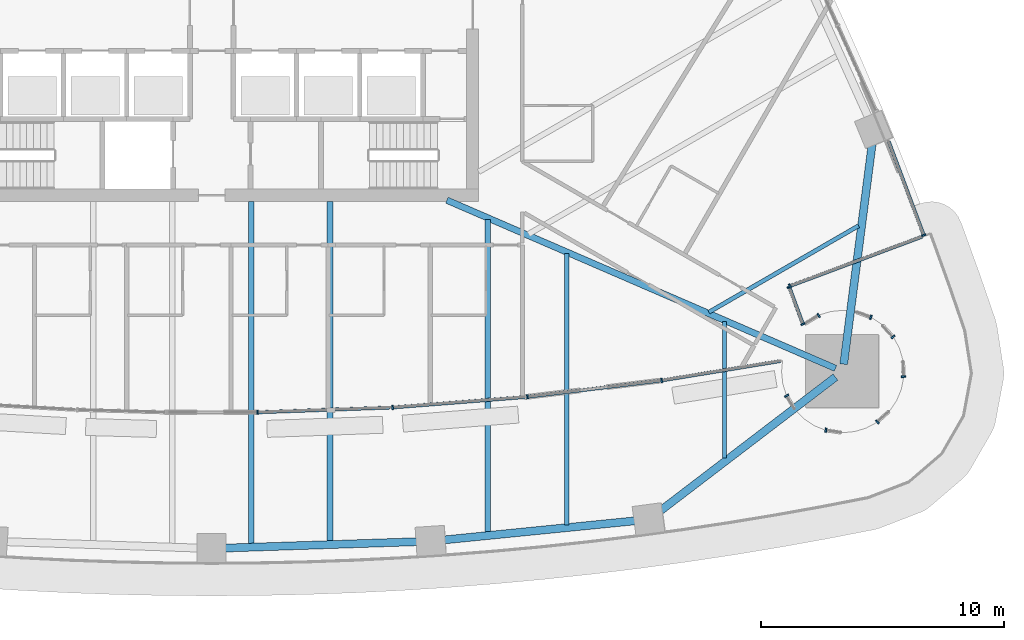
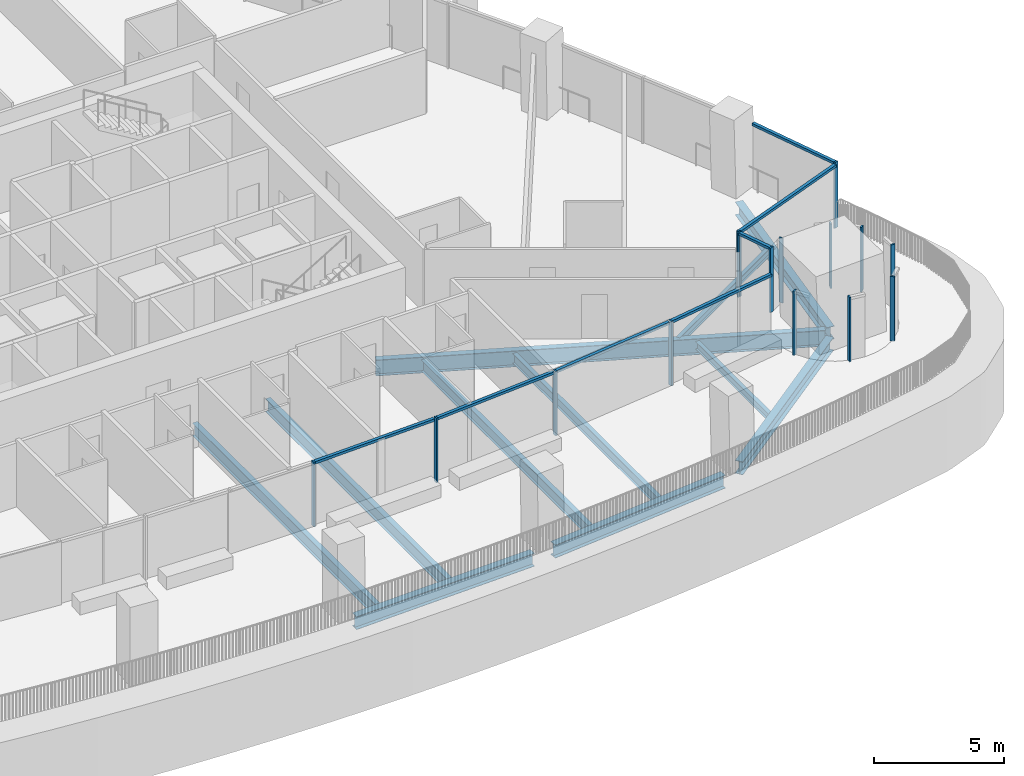
# One storey, part 4 of 25: 22 members, 11 beams, 14 elements without a shape of their own.
"""IFC4 building model written with IfcOpenShell, lengths in metres."""

import ifcopenshell
import ifcopenshell.guid

model = None  # the IFC model being written
_history = None  # IfcOwnerHistory: only IFC2X3 demands one
_inside = {}  # id of a spatial element -> (the spatial element, [elements in it])
_under = {}  # id of a project, library or spatial element -> (it, [spatial elements below it])
_declared = {}  # id of a project -> (the project, [libraries it declares])
_typed = {}  # id of a type object -> (the type object, [elements of that type])
_made_of = {}  # id of a material, layer set ... -> (it, [elements and type objects made of it])


def new_model(schema):
    """Start an empty IFC model of exactly this schema.

    Asked for "IFC4X3", IfcOpenShell would pick the latest addendum, in which some entities
    have other attributes; the version numbers below select the first issue.
    IFC2X3 requires an IfcOwnerHistory on every rooted entity: one is made here for all.
    """
    global model, _history
    if schema == "IFC4X3":
        model = ifcopenshell.file(schema_version=(4, 3, 0, 0))
    else:
        model = ifcopenshell.file(schema=schema)
    _inside.clear()
    _under.clear()
    _declared.clear()
    _typed.clear()
    _made_of.clear()
    _history = None
    if model.schema == "IFC2X3":
        org = make("IfcOrganization", Name="unknown")
        user = make(
            "IfcPersonAndOrganization",
            ThePerson=make("IfcPerson", FamilyName="unknown"),
            TheOrganization=org,
        )
        app = make(
            "IfcApplication",
            ApplicationDeveloper=org,
            Version="unknown",
            ApplicationFullName="unknown",
            ApplicationIdentifier="unknown",
        )
        _history = make(
            "IfcOwnerHistory",
            OwningUser=user,
            OwningApplication=app,
            ChangeAction="ADDED",
            CreationDate=0,
        )
    return model


def make(cls, **values):
    """One entity of the class cls with the attributes given. An attribute that is None is left unset."""
    return model.create_entity(
        cls, **{name: value for name, value in values.items() if value is not None}
    )


def rooted(cls, **values):
    """An entity with a GlobalId (a new one), such as an element, a storey or a relation."""
    return make(cls, GlobalId=ifcopenshell.guid.new(), OwnerHistory=_history, **values)


def si_unit(unit_type, name, prefix=None):
    """IfcSIUnit, for example si_unit("LENGTHUNIT", "METRE", prefix="MILLI")."""
    return make("IfcSIUnit", UnitType=unit_type, Prefix=prefix, Name=name)


def assignment(units):
    """IfcUnitAssignment: the units of a project."""
    return None if units is None else make("IfcUnitAssignment", Units=units)


def point(xyz):
    """IfcCartesianPoint."""
    return None if xyz is None else make("IfcCartesianPoint", Coordinates=xyz)


def direction(xyz):
    """IfcDirection."""
    return None if xyz is None else make("IfcDirection", DirectionRatios=xyz)


def frame(location, z_axis=None, x_axis=None):
    """IfcAxis2Placement3D, a coordinate frame: its origin and axes. An axis left out is left unset."""
    return make(
        "IfcAxis2Placement3D",
        Location=point(location),
        Axis=direction(z_axis),
        RefDirection=direction(x_axis),
    )


def frame_2d(location, x_axis=None):
    """IfcAxis2Placement2D, a coordinate frame in the plane: its origin and x axis."""
    return make(
        "IfcAxis2Placement2D", Location=point(location), RefDirection=direction(x_axis)
    )


def origin():
    """The frame at (0, 0, 0) with its axes left unset."""
    return frame((0.0, 0.0, 0.0))


def origin_2d():
    """The frame at (0, 0) in the plane with its x axis left unset."""
    return frame_2d((0.0, 0.0))


def place(relative_to, where):
    """IfcLocalPlacement: puts the frame where relative to a parent placement (None: the world)."""
    return make(
        "IfcLocalPlacement", PlacementRelTo=relative_to, RelativePlacement=where
    )


def context(
    kind, dimensions, precision=None, world=None, true_north=None, identifier=None
):
    """IfcGeometricRepresentationContext, for example the 3D "Model" context."""
    return make(
        "IfcGeometricRepresentationContext",
        ContextIdentifier=identifier,
        ContextType=kind,
        CoordinateSpaceDimension=dimensions,
        Precision=precision,
        WorldCoordinateSystem=world,
        TrueNorth=true_north,
    )


def subcontext(parent, identifier, kind, view, scale=None):
    """IfcGeometricRepresentationSubContext, for example "Body" below "Model"."""
    return make(
        "IfcGeometricRepresentationSubContext",
        ContextIdentifier=identifier,
        ContextType=kind,
        ParentContext=parent,
        TargetScale=scale,
        TargetView=view,
    )


def project(units=None, contexts=None):
    """IfcProject with its units and contexts."""
    return rooted(
        "IfcProject",
        Name="project",
        RepresentationContexts=contexts,
        UnitsInContext=assignment(units),
    )


def spatial(cls, under=None, at=None, **own):
    """A site, building, storey or space (cls), placed at a placement, below another one or the project."""
    s = rooted(cls, ObjectPlacement=at, **own)
    if under is not None:
        _under.setdefault(under.id(), (under, []))[1].append(s)
    return s


def profile(cls, at=None, kind="AREA", **sizes):
    """A parametric profile (cls). Its sizes go by their IFC names, for example OverallWidth=200.0."""
    return make(cls, ProfileType=kind, Position=at, **sizes)


def rectangle(**sizes):
    """IfcRectangleProfileDef."""
    return profile("IfcRectangleProfileDef", **sizes)


def i_section(**sizes):
    """IfcIShapeProfileDef."""
    return profile("IfcIShapeProfileDef", **sizes)


def extrude(swept, where, along, depth):
    """IfcExtrudedAreaSolid: the profile swept, set in the frame where, extruded along a direction by depth."""
    return make(
        "IfcExtrudedAreaSolid",
        SweptArea=swept,
        Position=where,
        ExtrudedDirection=direction(along),
        Depth=depth,
    )


def shape(context_of_items, identifier, shape_type, items):
    """IfcShapeRepresentation: the items that make up one representation, for example the "Body"."""
    return make(
        "IfcShapeRepresentation",
        ContextOfItems=context_of_items,
        RepresentationIdentifier=identifier,
        RepresentationType=shape_type,
        Items=items,
    )


def material(Name=None, Category=None):
    """IfcMaterial."""
    return make("IfcMaterial", Name=Name, Category=Category)


def layer(
    of_material, thickness, ventilated=None, Name=None, Category=None, Priority=None
):
    """IfcMaterialLayer: one layer of a wall or slab, of a material (None: an air gap)."""
    return make(
        "IfcMaterialLayer",
        Material=of_material,
        LayerThickness=thickness,
        IsVentilated=ventilated,
        Name=Name,
        Category=Category,
        Priority=Priority,
    )


def layer_set(layers, Name=None):
    """IfcMaterialLayerSet."""
    return make("IfcMaterialLayerSet", MaterialLayers=layers, LayerSetName=Name)


def material_profile(
    of_material, cross_section, Name=None, Category=None, Priority=None
):
    """IfcMaterialProfile: a cross section and its material."""
    return make(
        "IfcMaterialProfile",
        Name=Name,
        Material=of_material,
        Profile=cross_section,
        Priority=Priority,
        Category=Category,
    )


def profile_set(profiles, Name=None, composite=None):
    """IfcMaterialProfileSet."""
    return make(
        "IfcMaterialProfileSet",
        Name=Name,
        MaterialProfiles=profiles,
        CompositeProfile=composite,
    )


def made_of(thing, what):
    """Note that an element or type object is made of a material, layer set ...; save() writes the relation."""
    if what is not None:
        _made_of.setdefault(what.id(), (what, []))[1].append(thing)
    return thing


def type_object(cls, material=None, **own):
    """A type object (cls), such as IfcWallType, which elements share."""
    return made_of(rooted(cls, **own), material)


def element(
    cls,
    number,
    at=None,
    inside=None,
    cuts=None,
    type_object=None,
    material=None,
    context=None,
    identifier="Body",
    shape_type=None,
    held_by="IfcProductDefinitionShape",
    body=None,
    shapes=None,
    **own,
):
    """One element of the class cls, such as IfcWall. Its Tag is "e" and its number.

    at: its placement. inside: the storey or other place that contains it. cuts: it is an
    opening in that element (IfcRelVoidsElement). A single representation is given by context,
    identifier, shape_type and body (its items); several are given by shapes. held_by: the class
    of the entity that holds the representations. save() writes the other relations.
    """
    e = rooted(cls, Tag="e%d" % number, ObjectPlacement=at, **own)
    if body is not None:
        shapes = [shape(context, identifier, shape_type, body)]
    if shapes is not None:
        e.Representation = make(held_by, Representations=shapes)
    if inside is not None:
        _inside.setdefault(inside.id(), (inside, []))[1].append(e)
    if cuts is not None:
        rooted(
            "IfcRelVoidsElement", RelatingBuildingElement=cuts, RelatedOpeningElement=e
        )
    if type_object is not None:
        _typed.setdefault(type_object.id(), (type_object, []))[1].append(e)
    return made_of(e, material)


def aggregate(whole, parts):
    """IfcRelAggregates: a whole, such as a stair, and the parts it consists of."""
    return rooted("IfcRelAggregates", RelatingObject=whole, RelatedObjects=parts)


def save(model, path):
    """Write the relations noted so far, then the file.

    IfcRelAggregates (storeys below a building ...), IfcRelContainedInSpatialStructure (elements
    in a storey), IfcRelDefinesByType, IfcRelAssociatesMaterial and IfcRelDeclares: one each for
    every whole, place, type object, material and project.
    """
    for whole, parts in _under.values():
        aggregate(whole, parts)
    for where, things in _inside.values():
        rooted(
            "IfcRelContainedInSpatialStructure",
            RelatedElements=things,
            RelatingStructure=where,
        )
    for kind, things in _typed.values():
        rooted("IfcRelDefinesByType", RelatedObjects=things, RelatingType=kind)
    for what, things in _made_of.values():
        rooted("IfcRelAssociatesMaterial", RelatedObjects=things, RelatingMaterial=what)
    for by, libraries in _declared.values():
        rooted("IfcRelDeclares", RelatingContext=by, RelatedDefinitions=libraries)
    model.write(path)


model = new_model("IFC4")

# Units and contexts
model_context = context("Model", 3, precision=1e-05, world=origin(), true_north=direction((0.0, 1.0)))
body_context = subcontext(model_context, "Body", "Model", "MODEL_VIEW")
ifc_project = project(units=[si_unit("LENGTHUNIT", "METRE"), si_unit("AREAUNIT", "SQUARE_METRE"), si_unit("VOLUMEUNIT", "CUBIC_METRE"), si_unit("PLANEANGLEUNIT", "RADIAN"), si_unit("MASSUNIT", "GRAM", prefix="KILO")], contexts=[model_context])

# Site, building, storey
site_placement = place(None, origin())
site = spatial("IfcSite", under=ifc_project, at=site_placement, CompositionType="ELEMENT")
building_placement = place(site_placement, origin())
building = spatial("IfcBuilding", under=site, at=building_placement, Name="Sierra Prisma Convention Tower", CompositionType="ELEMENT")
storey_placement = place(building_placement, frame((0.0, 0.0, 88.699951171875)))
storey = spatial("IfcBuildingStorey", under=building, at=storey_placement, Name="L18", CompositionType="ELEMENT", Elevation=88.699951171875)

# Curtain wall, member
ifc_material_1 = material(Name="Aluminium and glass curtain wall", Category="aluminium")
ifc_layer_1 = layer(ifc_material_1, 0.179931640625)
ifc_layer_set_1 = layer_set([ifc_layer_1], Name="CW-1 Plain shaft curtain wall")
curtain_wall_type_1 = type_object("IfcCurtainWallType", Name="CW-1 Plain shaft curtain wall", PredefinedType="NOTDEFINED", material=ifc_layer_set_1)
curtain_wall_1_placement = place(storey_placement, origin())
curtain_wall_1 = element("IfcCurtainWall", 1, at=curtain_wall_1_placement, inside=storey, type_object=curtain_wall_type_1, Name="CW-1 NE1b L18", PredefinedType="NOTDEFINED")
ifc_material_2 = material(Name="Aluminium 6063-T6 bronze anodised", Category="aluminium")
ifc_material_profile_1 = material_profile(ifc_material_2, rectangle(XDim=0.179931640625, YDim=0.070068359375, at=origin_2d()), Name="ALU MULLION 70x180")
ifc_profile_set_1 = profile_set([ifc_material_profile_1], Name="Aluminium 6063-T6 bronze anodised")
member_type_1 = type_object("IfcMemberType", Name="CW mullion bronze", PredefinedType="MULLION", material=ifc_profile_set_1)
member_1_placement = place(storey_placement, frame((29.33251953125, -9.3916015625, 0.0), z_axis=(0.0, 0.0, 1.0), x_axis=(-0.936756749124, -0.349981132307, 0.0)))
member_1 = element("IfcMember", 2, at=member_1_placement, type_object=member_type_1, Name="CW-1 mullion NE1b.1", PredefinedType="MULLION", context=body_context, shape_type="SweptSolid", body=[
    extrude(rectangle(XDim=0.179931640625, YDim=0.070068359375, at=origin_2d()), origin(), (0.0, 0.0, 1.0), 3.10009765625),
])

ifc_material_3 = material(Name="Aluminium and glass curtain wall", Category="aluminium")
ifc_layer_2 = layer(ifc_material_3, 0.179931640625)
ifc_layer_set_2 = layer_set([ifc_layer_2], Name="CW-6 Terrace recess curtain wall")
curtain_wall_type_2 = type_object("IfcCurtainWallType", Name="CW-6 Terrace recess curtain wall", PredefinedType="NOTDEFINED", material=ifc_layer_set_2)
curtain_wall_2_placement = place(storey_placement, origin())
curtain_wall_2 = element("IfcCurtainWall", 3, at=curtain_wall_2_placement, inside=storey, type_object=curtain_wall_type_2, Name="CW-6 R7 L18", PredefinedType="NOTDEFINED")
member_2_placement = place(storey_placement, frame((1.891357421875, -16.686767578125, 0.0), z_axis=(0.0, 0.0, 1.0), x_axis=(-0.035574166741, 0.999367039011, 0.0)))
member_2 = element("IfcMember", 4, at=member_2_placement, type_object=member_type_1, Name="CW-6 mullion R7.1", PredefinedType="MULLION", context=body_context, shape_type="SweptSolid", body=[
    extrude(rectangle(XDim=0.179931640625, YDim=0.070068359375, at=origin_2d()), origin(), (0.0, 0.0, 1.0), 3.0400390625),
])

curtain_wall_3_placement = place(storey_placement, origin())
curtain_wall_3 = element("IfcCurtainWall", 5, at=curtain_wall_3_placement, inside=storey, type_object=curtain_wall_type_2, Name="CW-6 R8 L18", PredefinedType="NOTDEFINED")
member_3_placement = place(storey_placement, frame((7.45654296875, -16.4873046875, 0.0), z_axis=(0.0, 0.0, 1.0), x_axis=(-0.078199762171, 0.996937709788, 0.0)))
member_3 = element("IfcMember", 6, at=member_3_placement, type_object=member_type_1, Name="CW-6 mullion R8.1", PredefinedType="MULLION", context=body_context, shape_type="SweptSolid", body=[
    extrude(rectangle(XDim=0.179931640625, YDim=0.070068359375, at=origin_2d()), origin(), (0.0, 0.0, 1.0), 3.0400390625),
])

curtain_wall_4_placement = place(storey_placement, origin())
curtain_wall_4 = element("IfcCurtainWall", 7, at=curtain_wall_4_placement, inside=storey, type_object=curtain_wall_type_2, Name="CW-6 R9 L18", PredefinedType="NOTDEFINED")
member_4_placement = place(storey_placement, frame((13.00830078125, -16.05029296875, 0.0), z_axis=(0.0, 0.0, 1.0), x_axis=(-0.120682811693, 0.992691119615, 0.0)))
member_4 = element("IfcMember", 8, at=member_4_placement, type_object=member_type_1, Name="CW-6 mullion R9.1", PredefinedType="MULLION", context=body_context, shape_type="SweptSolid", body=[
    extrude(rectangle(XDim=0.179931640625, YDim=0.070068359375, at=origin_2d()), origin(), (0.0, 0.0, 1.0), 3.0400390625),
])

curtain_wall_5_placement = place(storey_placement, origin())
curtain_wall_5 = element("IfcCurtainWall", 9, at=curtain_wall_5_placement, inside=storey, type_object=curtain_wall_type_2, Name="CW-6 R10 L18", PredefinedType="NOTDEFINED")
member_5_placement = place(storey_placement, frame((18.5361328125, -15.376708984375, 0.0), z_axis=(0.0, 0.0, 1.0), x_axis=(-0.161605953661, 0.986855367185, 0.0)))
member_5 = element("IfcMember", 10, at=member_5_placement, type_object=member_type_1, Name="CW-6 mullion R10.1", PredefinedType="MULLION", context=body_context, shape_type="SweptSolid", body=[
    extrude(rectangle(XDim=0.179931640625, YDim=0.070068359375, at=origin_2d()), origin(), (0.0, 0.0, 1.0), 3.0400390625),
])

curtain_wall_6_placement = place(storey_placement, origin())
curtain_wall_6 = element("IfcCurtainWall", 11, at=curtain_wall_6_placement, inside=storey, type_object=curtain_wall_type_2, Name="CW-6 R14 L18", PredefinedType="NOTDEFINED")
member_6_placement = place(storey_placement, frame((23.6865234375, -16.004638671875, 0.0), z_axis=(0.0, 0.0, 1.0), x_axis=(0.85772861, 0.514102744193, 0.0)))
member_6 = element("IfcMember", 12, at=member_6_placement, type_object=member_type_1, Name="CW-6 mullion R14.1", PredefinedType="MULLION", context=body_context, shape_type="SweptSolid", body=[
    extrude(rectangle(XDim=0.179931640625, YDim=0.070068359375, at=origin_2d()), origin(), (0.0, 0.0, 1.0), 3.0400390625),
])
aggregate(curtain_wall_6, [member_6])

curtain_wall_7_placement = place(storey_placement, origin())
curtain_wall_7 = element("IfcCurtainWall", 13, at=curtain_wall_7_placement, inside=storey, type_object=curtain_wall_type_2, Name="CW-6 R18 L18", PredefinedType="NOTDEFINED")
member_7_placement = place(storey_placement, frame((25.300537109375, -17.427734375, 0.0), z_axis=(0.0, 0.0, 1.0), x_axis=(0.146730474455, 0.989176509965, 0.0)))
member_7 = element("IfcMember", 14, at=member_7_placement, type_object=member_type_1, Name="CW-6 mullion R18.1", PredefinedType="MULLION", context=body_context, shape_type="SweptSolid", body=[
    extrude(rectangle(XDim=0.179931640625, YDim=0.070068359375, at=origin_2d()), origin(), (0.0, 0.0, 1.0), 3.0400390625),
])
aggregate(curtain_wall_7, [member_7])

curtain_wall_8_placement = place(storey_placement, origin())
curtain_wall_8 = element("IfcCurtainWall", 15, at=curtain_wall_8_placement, inside=storey, type_object=curtain_wall_type_2, Name="CW-6 R22 L18", PredefinedType="NOTDEFINED")
member_8_placement = place(storey_placement, frame((27.424560546875, -17.082763671875, 0.0), z_axis=(0.0, 0.0, 1.0), x_axis=(-0.671558954847, 0.740951125355, 0.0)))
member_8 = element("IfcMember", 16, at=member_8_placement, type_object=member_type_1, Name="CW-6 mullion R22.1", PredefinedType="MULLION", context=body_context, shape_type="SweptSolid", body=[
    extrude(rectangle(XDim=0.179931640625, YDim=0.070068359375, at=origin_2d()), origin(), (0.0, 0.0, 1.0), 3.0400390625),
])
aggregate(curtain_wall_8, [member_8])

curtain_wall_9_placement = place(storey_placement, origin())
curtain_wall_9 = element("IfcCurtainWall", 17, at=curtain_wall_9_placement, inside=storey, type_object=curtain_wall_type_2, Name="CW-6 R26 L18", PredefinedType="NOTDEFINED")
member_9_placement = place(storey_placement, frame((28.50537109375, -15.221923828125, 0.0), z_axis=(0.0, 0.0, 1.0), x_axis=(-0.998795456205, -0.049067674327, 0.0)))
member_9 = element("IfcMember", 18, at=member_9_placement, type_object=member_type_1, Name="CW-6 mullion R26.1", PredefinedType="MULLION", context=body_context, shape_type="SweptSolid", body=[
    extrude(rectangle(XDim=0.179931640625, YDim=0.070068359375, at=origin_2d()), origin(), (0.0, 0.0, 1.0), 3.0400390625),
])
aggregate(curtain_wall_9, [member_9])

curtain_wall_10_placement = place(storey_placement, origin())
curtain_wall_10 = element("IfcCurtainWall", 19, at=curtain_wall_10_placement, inside=storey, type_object=curtain_wall_type_2, Name="CW-6 R29 L18", PredefinedType="NOTDEFINED")
member_10_placement = place(storey_placement, frame((28.07080078125, -13.583251953125, 0.0), z_axis=(0.0, 0.0, 1.0), x_axis=(-0.740951125355, -0.671558954847, 0.0)))
member_10 = element("IfcMember", 20, at=member_10_placement, type_object=member_type_1, Name="CW-6 mullion R29.1", PredefinedType="MULLION", context=body_context, shape_type="SweptSolid", body=[
    extrude(rectangle(XDim=0.179931640625, YDim=0.070068359375, at=origin_2d()), origin(), (0.0, 0.0, 1.0), 3.0400390625),
])
aggregate(curtain_wall_10, [member_10])

curtain_wall_11_placement = place(storey_placement, origin())
curtain_wall_11 = element("IfcCurtainWall", 21, at=curtain_wall_11_placement, inside=storey, type_object=curtain_wall_type_2, Name="CW-6 R31 L18", PredefinedType="NOTDEFINED")
member_11_placement = place(storey_placement, frame((27.1533203125, -12.7744140625, 0.0), z_axis=(0.0, 0.0, 1.0), x_axis=(-0.336889853392, -0.941544065183, 0.0)))
member_11 = element("IfcMember", 22, at=member_11_placement, type_object=member_type_1, Name="CW-6 mullion R31.1", PredefinedType="MULLION", context=body_context, shape_type="SweptSolid", body=[
    extrude(rectangle(XDim=0.179931640625, YDim=0.070068359375, at=origin_2d()), origin(), (0.0, 0.0, 1.0), 3.0400390625),
])
aggregate(curtain_wall_11, [member_11])

curtain_wall_12_placement = place(storey_placement, origin())
curtain_wall_12 = element("IfcCurtainWall", 23, at=curtain_wall_12_placement, inside=storey, type_object=curtain_wall_type_2, Name="CW-6 R35 L18", PredefinedType="NOTDEFINED")
member_12_placement = place(storey_placement, frame((25.003173828125, -12.69873046875, 0.0), z_axis=(0.0, 0.0, 1.0), x_axis=(0.522495214795, -0.852642217179, 0.0)))
member_12 = element("IfcMember", 24, at=member_12_placement, type_object=member_type_1, Name="CW-6 mullion R35.1", PredefinedType="MULLION", context=body_context, shape_type="SweptSolid", body=[
    extrude(rectangle(XDim=0.179931640625, YDim=0.070068359375, at=origin_2d()), origin(), (0.0, 0.0, 1.0), 3.0400390625),
])
aggregate(curtain_wall_12, [member_12])

# Curtain wall, members
curtain_wall_13_placement = place(storey_placement, origin())
curtain_wall_13 = element("IfcCurtainWall", 25, at=curtain_wall_13_placement, inside=storey, type_object=curtain_wall_type_2, Name="CW-6 R36 L18", PredefinedType="NOTDEFINED")
member_13_placement = place(storey_placement, frame((24.357177734375, -13.05419921875, 0.0), z_axis=(0.0, 0.0, 1.0), x_axis=(-0.938036396479, -0.346536749683, 0.0)))
member_13 = element("IfcMember", 26, at=member_13_placement, type_object=member_type_1, Name="CW-6 mullion R36.1", PredefinedType="MULLION", context=body_context, shape_type="SweptSolid", body=[
    extrude(rectangle(XDim=0.179931640625, YDim=0.070068359375, at=origin_2d()), origin(), (0.0, 0.0, 1.0), 3.0400390625),
])
member_14_placement = place(storey_placement, frame((23.7958984375, -11.53466796875, 0.0), z_axis=(0.0, 0.0, 1.0), x_axis=(-0.938036396479, -0.346536749683, 0.0)))
member_14 = element("IfcMember", 27, at=member_14_placement, type_object=member_type_1, Name="CW-6 mullion R36.2", PredefinedType="MULLION", context=body_context, shape_type="SweptSolid", body=[
    extrude(rectangle(XDim=0.179931640625, YDim=0.070068359375, at=origin_2d()), origin(), (0.0, 0.0, 1.0), 3.0400390625),
])

# Curtain wall, member
curtain_wall_14_placement = place(storey_placement, origin())
curtain_wall_14 = element("IfcCurtainWall", 28, at=curtain_wall_14_placement, inside=storey, type_object=curtain_wall_type_2, Name="CW-6 RT2 L18", PredefinedType="NOTDEFINED")
member_15_placement = place(storey_placement, frame((23.81640625, -11.48974609375, 0.0), z_axis=(0.0, 0.0, 1.0), x_axis=(-0.349981132307, 0.936756749124, 0.0)))
member_15 = element("IfcMember", 29, at=member_15_placement, type_object=member_type_1, Name="CW-6 mullion RT2.1", PredefinedType="MULLION", context=body_context, shape_type="SweptSolid", body=[
    extrude(rectangle(XDim=0.179931640625, YDim=0.070068359375, at=origin_2d()), origin(), (0.0, 0.0, 1.0), 3.0400390625),
])

# Member
ifc_material_4 = material(Name="Aluminium 6063-T6 bronze anodised", Category="aluminium")
ifc_material_profile_2 = material_profile(ifc_material_4, rectangle(XDim=0.139892578125, YDim=0.1201171875, at=origin_2d()), Name="ALU TRANSOM 120x140")
ifc_profile_set_2 = profile_set([ifc_material_profile_2], Name="Aluminium 6063-T6 bronze anodised")
member_type_2 = type_object("IfcMemberType", Name="CW transom bronze", PredefinedType="USERDEFINED", material=ifc_profile_set_2)
member_16_placement = place(storey_placement, frame((29.320068359375, -9.358642578125, 3.0400390625), z_axis=(-0.349978387359, 0.936757774658, 0.0), x_axis=(-0.936757774658, -0.349978387359, 0.0)))
member_16 = element("IfcMember", 30, at=member_16_placement, type_object=member_type_2, Name="CW-1 transom NE1b.1", ObjectType="TRANSOM", PredefinedType="USERDEFINED", context=body_context, shape_type="SweptSolid", body=[
    extrude(rectangle(XDim=0.139892578125, YDim=0.1201171875, at=origin_2d()), origin(), (0.0, 0.0, 1.0), 4.08984375),
])

aggregate(curtain_wall_1, [member_1, member_16])

member_17_placement = place(storey_placement, frame((1.92626953125, -16.685546875, 2.97998046875), z_axis=(0.999367143598, 0.035571228483, 0.0), x_axis=(-0.035571228483, 0.999367143598, 0.0)))
member_17 = element("IfcMember", 31, at=member_17_placement, type_object=member_type_2, Name="CW-6 transom R7.1", ObjectType="TRANSOM", PredefinedType="USERDEFINED", context=body_context, shape_type="SweptSolid", body=[
    extrude(rectangle(XDim=0.139892578125, YDim=0.1201171875, at=origin_2d()), origin(), (0.0, 0.0, 1.0), 5.428955078125),
])

aggregate(curtain_wall_2, [member_2, member_17])

member_18_placement = place(storey_placement, frame((7.491455078125, -16.484375, 2.97998046875), z_axis=(0.996940714471, 0.07816144721, 0.0), x_axis=(-0.07816144721, 0.996940714471, 0.0)))
member_18 = element("IfcMember", 32, at=member_18_placement, type_object=member_type_2, Name="CW-6 transom R8.1", ObjectType="TRANSOM", PredefinedType="USERDEFINED", context=body_context, shape_type="SweptSolid", body=[
    extrude(rectangle(XDim=0.139892578125, YDim=0.1201171875, at=origin_2d()), origin(), (0.0, 0.0, 1.0), 5.4287109375),
])

aggregate(curtain_wall_3, [member_3, member_18])

member_19_placement = place(storey_placement, frame((13.04296875, -16.046142578125, 2.97998046875), z_axis=(0.992688782577, 0.120702033725, 0.0), x_axis=(-0.120702033725, 0.992688782577, 0.0)))
member_19 = element("IfcMember", 33, at=member_19_placement, type_object=member_type_2, Name="CW-6 transom R9.1", ObjectType="TRANSOM", PredefinedType="USERDEFINED", context=body_context, shape_type="SweptSolid", body=[
    extrude(rectangle(XDim=0.139892578125, YDim=0.1201171875, at=origin_2d()), origin(), (0.0, 0.0, 1.0), 5.428955078125),
])

aggregate(curtain_wall_4, [member_4, member_19])

member_20_placement = place(storey_placement, frame((18.570556640625, -15.37109375, 2.97998046875), z_axis=(0.986859697184, 0.161579510067, 0.0), x_axis=(-0.161579510067, 0.986859697184, 0.0)))
member_20 = element("IfcMember", 34, at=member_20_placement, type_object=member_type_2, Name="CW-6 transom R10.1", ObjectType="TRANSOM", PredefinedType="USERDEFINED", context=body_context, shape_type="SweptSolid", body=[
    extrude(rectangle(XDim=0.139892578125, YDim=0.1201171875, at=origin_2d()), origin(), (0.0, 0.0, 1.0), 4.94384765625),
])

aggregate(curtain_wall_5, [member_5, member_20])

member_21_placement = place(storey_placement, frame((24.344970703125, -13.021484375, 2.97998046875), z_axis=(-0.346544688492, 0.938033463624, 0.0), x_axis=(-0.938033463624, -0.346544688492, 0.0)))
member_21 = element("IfcMember", 35, at=member_21_placement, type_object=member_type_2, Name="CW-6 transom R36.1", ObjectType="TRANSOM", PredefinedType="USERDEFINED", context=body_context, shape_type="SweptSolid", body=[
    extrude(rectangle(XDim=0.139892578125, YDim=0.1201171875, at=origin_2d()), origin(), (0.0, 0.0, 1.0), 1.5498046875),
])

aggregate(curtain_wall_13, [member_13, member_14, member_21])

member_22_placement = place(storey_placement, frame((23.84912109375, -11.4775390625, 2.97998046875), z_axis=(0.936749110031, 0.350001578362, 0.0), x_axis=(-0.350001578362, 0.936749110031, 0.0)))
member_22 = element("IfcMember", 36, at=member_22_placement, type_object=member_type_2, Name="CW-6 transom RT2.1", ObjectType="TRANSOM", PredefinedType="USERDEFINED", context=body_context, shape_type="SweptSolid", body=[
    extrude(rectangle(XDim=0.139892578125, YDim=0.1201171875, at=origin_2d()), origin(), (0.0, 0.0, 1.0), 5.796630859375),
])

aggregate(curtain_wall_14, [member_15, member_22])

# Beams
ifc_material_5 = material(Name="Steel ASTM A992 Gr 50", Category="steel")
ifc_material_profile_3 = material_profile(ifc_material_5, i_section(OverallWidth=0.172119140625, OverallDepth=0.35791015625, WebThickness=0.0078125, FlangeThickness=0.01318359375, at=origin_2d()), Name="W360x57")
ifc_profile_set_3 = profile_set([ifc_material_profile_3], Name="Steel ASTM A992 Gr 50")
beam_type_1 = type_object("IfcBeamType", Name="Floor joist W360x57", PredefinedType="JOIST", material=ifc_profile_set_3)
beam_1_placement = place(storey_placement, frame((21.123291015625, -18.5771484375, -0.47900390625), z_axis=(0.0, 1.0, 0.0), x_axis=(-1.0, 0.0, 0.0)))
element("IfcBeam", 37, at=beam_1_placement, inside=storey, type_object=beam_type_1, Name="Floor joist L18 S15", PredefinedType="JOIST", context=body_context, shape_type="SweptSolid", body=[
    extrude(i_section(OverallWidth=0.172119140625, OverallDepth=0.35791015625, WebThickness=0.0078125, FlangeThickness=0.01318359375, at=origin_2d()), origin(), (0.0, 0.0, 1.0), 5.619140625),
])
beam_2_placement = place(storey_placement, frame((26.64990234375, -9.004638671875, -0.328857421875), z_axis=(-0.866017166987, -0.50001426628, 0.0), x_axis=(0.50001426628, -0.866017166987, 0.0)))
element("IfcBeam", 38, at=beam_2_placement, inside=storey, type_object=beam_type_1, Name="Floor joist L18 NE02", PredefinedType="JOIST", context=body_context, shape_type="SweptSolid", body=[
    extrude(i_section(OverallWidth=0.172119140625, OverallDepth=0.35791015625, WebThickness=0.0078125, FlangeThickness=0.01318359375, at=origin_2d()), origin(), (0.0, 0.0, 1.0), 7.121337890625),
])
ifc_material_6 = material(Name="Steel ASTM A992 Gr 50", Category="steel")
ifc_material_profile_4 = material_profile(ifc_material_6, i_section(OverallWidth=0.18994140625, OverallDepth=0.45703125, WebThickness=0.009033203125, FlangeThickness=0.014404296875, at=origin_2d()), Name="W460x74")
ifc_profile_set_4 = profile_set([ifc_material_profile_4], Name="Steel ASTM A992 Gr 50")
beam_type_2 = type_object("IfcBeamType", Name="Floor joist W460x74", PredefinedType="JOIST", material=ifc_profile_set_4)
beam_3_placement = place(storey_placement, frame((14.623779296875, -21.328857421875, -0.528564453125), z_axis=(0.0, 1.0, 0.0), x_axis=(-1.0, 0.0, 0.0)))
element("IfcBeam", 39, at=beam_3_placement, inside=storey, type_object=beam_type_2, Name="Floor joist L18 S13", PredefinedType="JOIST", context=body_context, shape_type="SweptSolid", body=[
    extrude(i_section(OverallWidth=0.18994140625, OverallDepth=0.45703125, WebThickness=0.009033203125, FlangeThickness=0.014404296875, at=origin_2d()), origin(), (0.0, 0.0, 1.0), 11.18359375),
])
ifc_material_7 = material(Name="Steel ASTM A992 Gr 50", Category="steel")
ifc_material_profile_5 = material_profile(ifc_material_7, i_section(OverallWidth=0.208984375, OverallDepth=0.532958984375, WebThickness=0.01025390625, FlangeThickness=0.015625, at=origin_2d()), Name="W530x92")
ifc_profile_set_5 = profile_set([ifc_material_profile_5], Name="Steel ASTM A992 Gr 50")
beam_type_3 = type_object("IfcBeamType", Name="Floor joist W530x92", PredefinedType="JOIST", material=ifc_profile_set_5)
beam_4_placement = place(storey_placement, frame((11.3740234375, -21.65380859375, -0.56640625), z_axis=(0.0, 1.0, 0.0), x_axis=(-1.0, 0.0, 0.0)))
element("IfcBeam", 40, at=beam_4_placement, inside=storey, type_object=beam_type_3, Name="Floor joist L18 S12", PredefinedType="JOIST", context=body_context, shape_type="SweptSolid", body=[
    extrude(i_section(OverallWidth=0.208984375, OverallDepth=0.532958984375, WebThickness=0.01025390625, FlangeThickness=0.015625, at=origin_2d()), origin(), (0.0, 0.0, 1.0), 12.914794921875),
])
ifc_material_8 = material(Name="Steel ASTM A992 Gr 50", Category="steel")
ifc_material_profile_6 = material_profile(ifc_material_8, i_section(OverallWidth=0.22802734375, OverallDepth=0.60302734375, WebThickness=0.010498046875, FlangeThickness=0.014892578125, at=origin_2d()), Name="W610x101")
ifc_profile_set_6 = profile_set([ifc_material_profile_6], Name="Steel ASTM A992 Gr 50")
beam_type_4 = type_object("IfcBeamType", Name="Floor joist W610x101", PredefinedType="JOIST", material=ifc_profile_set_6)
beam_5_placement = place(storey_placement, frame((1.624755859375, -22.134765625, -0.6015625), z_axis=(0.0, 1.0, 0.0), x_axis=(-1.0, 0.0, 0.0)))
element("IfcBeam", 41, at=beam_5_placement, inside=storey, type_object=beam_type_4, Name="Floor joist L18 S09", PredefinedType="JOIST", context=body_context, shape_type="SweptSolid", body=[
    extrude(i_section(OverallWidth=0.22802734375, OverallDepth=0.60302734375, WebThickness=0.010498046875, FlangeThickness=0.014892578125, at=origin_2d()), origin(), (0.0, 0.0, 1.0), 14.134765625),
])
beam_6_placement = place(storey_placement, frame((4.87451171875, -22.02685546875, -0.6015625), z_axis=(0.0, 1.0, 0.0), x_axis=(-1.0, 0.0, 0.0)))
element("IfcBeam", 42, at=beam_6_placement, inside=storey, type_object=beam_type_4, Name="Floor joist L18 S10", PredefinedType="JOIST", context=body_context, shape_type="SweptSolid", body=[
    extrude(i_section(OverallWidth=0.22802734375, OverallDepth=0.60302734375, WebThickness=0.010498046875, FlangeThickness=0.014892578125, at=origin_2d()), origin(), (0.0, 0.0, 1.0), 14.02685546875),
])
ifc_material_9 = material(Name="Steel ASTM A992 Gr 50", Category="steel")
ifc_material_profile_7 = material_profile(ifc_material_9, i_section(OverallWidth=0.264892578125, OverallDepth=0.7529296875, WebThickness=0.01318359375, FlangeThickness=0.01708984375, at=origin_2d()), Name="W760x147")
ifc_profile_set_7 = profile_set([ifc_material_profile_7], Name="Steel ASTM A992 Gr 50")
beam_type_5 = type_object("IfcBeamType", Name="Radial girder W760x147", PredefinedType="BEAM", material=ifc_profile_set_7)
beam_7_placement = place(storey_placement, frame((25.69775390625, -14.880126953125, -0.5263671875), z_axis=(-0.917743438969, 0.397173740608, 0.0), x_axis=(-0.397173740608, -0.917743438969, 0.0)))
element("IfcBeam", 43, at=beam_7_placement, inside=storey, type_object=beam_type_5, Name="Radial girder L18 SE", PredefinedType="BEAM", context=body_context, shape_type="SweptSolid", body=[
    extrude(i_section(OverallWidth=0.264892578125, OverallDepth=0.7529296875, WebThickness=0.01318359375, FlangeThickness=0.01708984375, at=origin_2d()), origin(), (0.0, 0.0, 1.0), 17.442626953125),
])
ifc_material_10 = material(Name="Steel ASTM A992 Gr 50", Category="steel")
ifc_material_profile_8 = material_profile(ifc_material_10, i_section(OverallWidth=0.324951171875, OverallDepth=0.615966796875, WebThickness=0.013916015625, FlangeThickness=0.021484375, at=origin_2d()), Name="W610x174")
ifc_profile_set_8 = profile_set([ifc_material_profile_8], Name="Steel ASTM A992 Gr 50")
beam_type_6 = type_object("IfcBeamType", Name="Spandrel beam W610x174", PredefinedType="BEAM", material=ifc_profile_set_8)
for number, where, z_axis, x_axis, name in (
    (44, (0.47998046875, -22.285400390625, -0.60791015625), (0.999448559459, 0.033205074837, 0.0), (-0.033205074837, 0.999448559459, 0.0), "Spandrel L18-04"),
    (45, (9.506591796875, -21.95361328125, -0.60791015625), (0.99504407456, 0.099434851447, 0.0), (-0.099434851447, 0.99504407456, 0.0), "Spandrel L18-05"),
):
    element("IfcBeam", number, at=place(storey_placement, frame(where, z_axis=z_axis, x_axis=x_axis)), inside=storey, type_object=beam_type_6, Name=name, PredefinedType="BEAM", context=body_context, shape_type="SweptSolid", body=[
        extrude(i_section(OverallWidth=0.324951171875, OverallDepth=0.615966796875, WebThickness=0.013916015625, FlangeThickness=0.021484375, at=origin_2d()), origin(), (0.0, 0.0, 1.0), 8.072998046875),
    ])
beam_8_placement = place(storey_placement, frame((18.471435546875, -20.75634765625, -0.60791015625), z_axis=(0.794817973195, 0.606847912978, 0.0), x_axis=(-0.606847912978, 0.794817973195, 0.0)))
element("IfcBeam", 46, at=beam_8_placement, inside=storey, type_object=beam_type_6, Name="Spandrel L18-06", PredefinedType="BEAM", context=body_context, shape_type="SweptSolid", body=[
    extrude(i_section(OverallWidth=0.324951171875, OverallDepth=0.615966796875, WebThickness=0.013916015625, FlangeThickness=0.021484375, at=origin_2d()), origin(), (0.0, 0.0, 1.0), 9.091796875),
])
beam_9_placement = place(storey_placement, frame((26.03662109375, -14.7099609375, -0.60791015625), z_axis=(0.128127667514, 0.99175768251, 0.0), x_axis=(-0.99175768251, 0.128127667514, 0.0)))
element("IfcBeam", 47, at=beam_9_placement, inside=storey, type_object=beam_type_6, Name="Spandrel L18-07", PredefinedType="BEAM", context=body_context, shape_type="SweptSolid", body=[
    extrude(i_section(OverallWidth=0.324951171875, OverallDepth=0.615966796875, WebThickness=0.013916015625, FlangeThickness=0.021484375, at=origin_2d()), origin(), (0.0, 0.0, 1.0), 9.1669921875),
])

save(model, "model.ifc")
